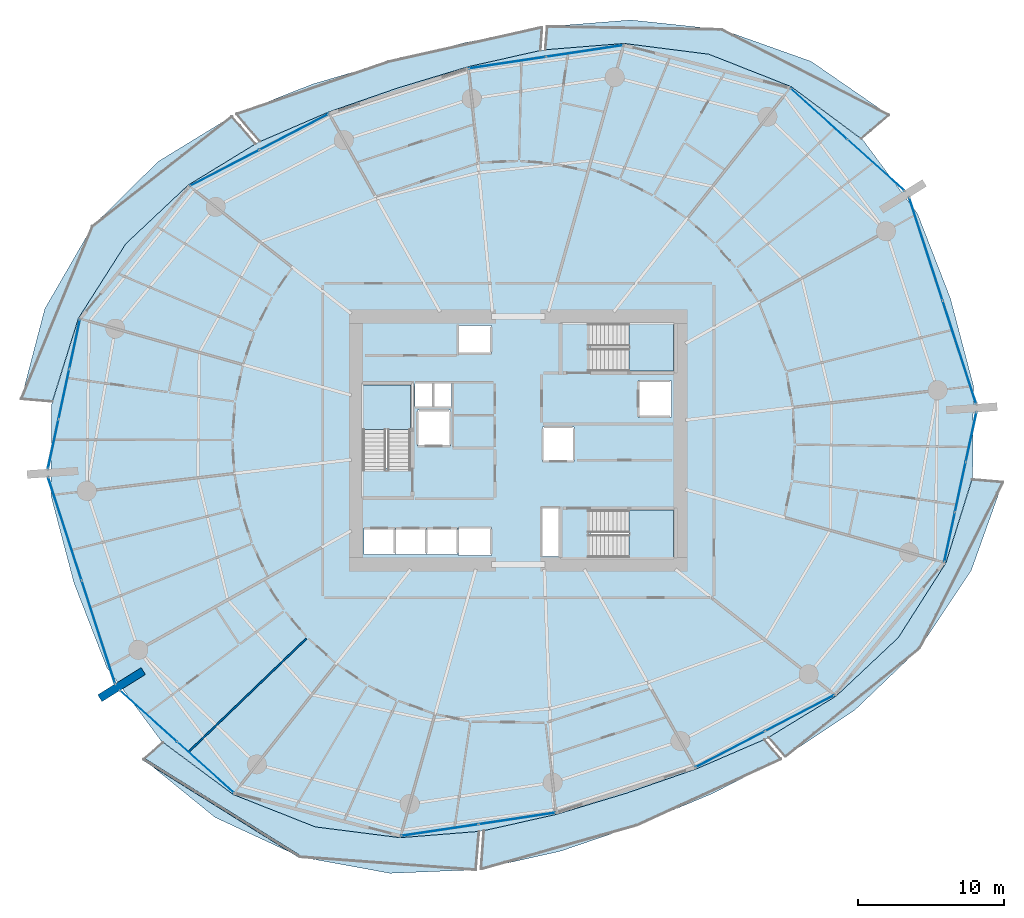
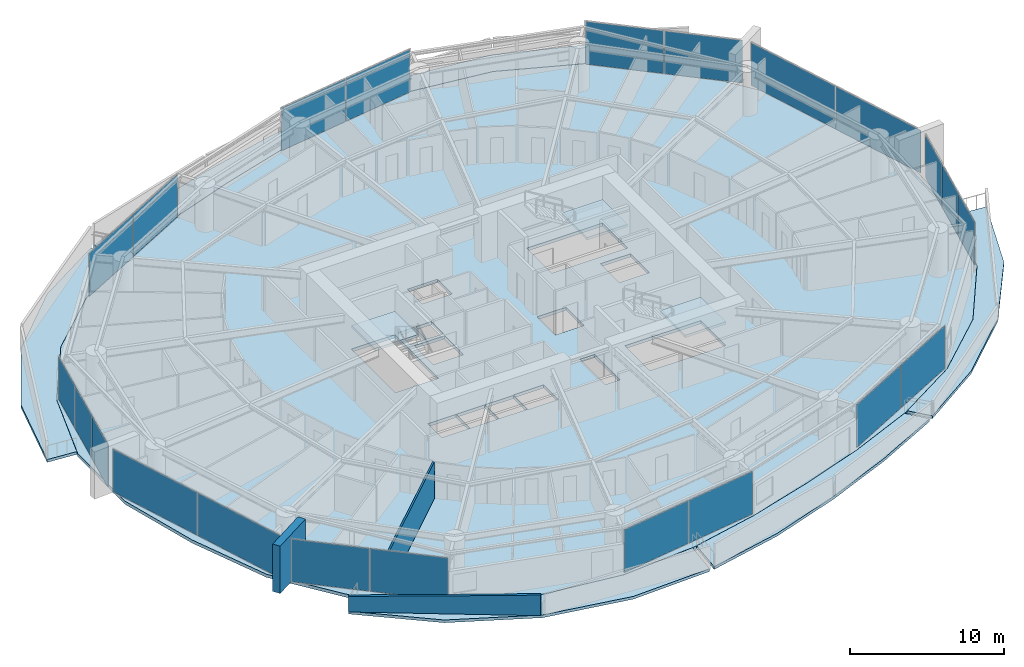
# One storey, part 18 of 31: 22 plates, 10 slabs, 3 walls, 13 elements without a shape of their own.
"""IFC4 building model written with IfcOpenShell, lengths in metres."""

from ifc_helpers import new_model, si_unit, direction, frame, frame_2d, origin, origin_2d, place, context, subcontext, project, spatial, polyline, rectangle, outline, extrude, material, layer, layer_set, type_object, element, aggregate, save


model = new_model("IFC4")

# Units and contexts
model_context = context("Model", 3, precision=1e-05, world=origin(), true_north=direction((0.0, 1.0)))
body_context = subcontext(model_context, "Body", "Model", "MODEL_VIEW")
ifc_project = project(units=[si_unit("LENGTHUNIT", "METRE"), si_unit("AREAUNIT", "SQUARE_METRE"), si_unit("VOLUMEUNIT", "CUBIC_METRE"), si_unit("PLANEANGLEUNIT", "RADIAN"), si_unit("MASSUNIT", "GRAM", prefix="KILO")], contexts=[model_context])

# Site, building, storey
site_placement = place(None, origin())
site = spatial("IfcSite", under=ifc_project, at=site_placement, CompositionType="ELEMENT")
building_placement = place(site_placement, origin())
building = spatial("IfcBuilding", under=site, at=building_placement, Name="Kazma Halo Residences", CompositionType="ELEMENT")
storey_placement = place(building_placement, frame((0.0, 0.0, 48.89990234375)))
storey = spatial("IfcBuildingStorey", under=building, at=storey_placement, Name="L11", CompositionType="ELEMENT", Elevation=48.89990234375)

# Curtain wall, plates
ifc_material_1 = material(Name="Aluminium AW-6063 T6 and Triple-Silver Low-E Glass", Category="aluminium")
ifc_layer_1 = layer(ifc_material_1, 0.159912109375)
ifc_layer_set_1 = layer_set([ifc_layer_1], Name="Aluminium AW-6063 T6 and Triple-Silver Low-E Glass")
curtain_wall_type = type_object("IfcCurtainWallType", Name="CW-SYS-2", PredefinedType="NOTDEFINED", material=ifc_layer_set_1)
curtain_wall_1_placement = place(storey_placement, origin())
curtain_wall_1 = element("IfcCurtainWall", 1, at=curtain_wall_1_placement, inside=storey, type_object=curtain_wall_type, Name="L11 unitised curtain wall B01", PredefinedType="NOTDEFINED")
ifc_material_2 = material(Name="Clear Triple-Silver Low-E Glass IGU", Category="glass")
ifc_layer_2 = layer(ifc_material_2, 0.028076171875)
ifc_layer_set_2 = layer_set([ifc_layer_2], Name="Clear Triple-Silver Low-E Glass IGU")
plate_type = type_object("IfcPlateType", Name="CW-SYS-2-PNL", PredefinedType="CURTAIN_PANEL", material=ifc_layer_set_2)
plate_1_placement = place(storey_placement, frame((72.876953125, 60.841064453125, 0.06005859375), z_axis=(0.0, 0.0, 1.0), x_axis=(-0.744321506993, 0.667821453854, 0.0)))
plate_1 = element("IfcPlate", 2, at=plate_1_placement, type_object=plate_type, Name="CWS-2 panel 1.1", PredefinedType="CURTAIN_PANEL", context=body_context, shape_type="SweptSolid", body=[
    extrude(rectangle(XDim=5.1787109375, YDim=0.028076171875, at=origin_2d()), origin(), (0.0, 0.0, 1.0), 3.3798828125),
])
plate_2_placement = place(storey_placement, frame((68.977783203125, 64.33935546875, 0.06005859375), z_axis=(0.0, 0.0, 1.0), x_axis=(-0.744321506993, 0.667821453854, 0.0)))
plate_2 = element("IfcPlate", 3, at=plate_2_placement, type_object=plate_type, Name="CWS-2 panel 2.1", PredefinedType="CURTAIN_PANEL", context=body_context, shape_type="SweptSolid", body=[
    extrude(rectangle(XDim=5.1787109375, YDim=0.028076171875, at=origin_2d()), origin(), (0.0, 0.0, 1.0), 3.3798828125),
])
aggregate(curtain_wall_1, [plate_1, plate_2])

curtain_wall_2_placement = place(storey_placement, origin())
curtain_wall_2 = element("IfcCurtainWall", 4, at=curtain_wall_2_placement, inside=storey, type_object=curtain_wall_type, Name="L11 unitised curtain wall B03", PredefinedType="NOTDEFINED")
plate_3_placement = place(storey_placement, frame((52.952392578125, 68.64013671875, 0.06005859375), z_axis=(0.0, 0.0, 1.0), x_axis=(-0.988888777994, -0.148657272805, 0.0)))
plate_3 = element("IfcPlate", 5, at=plate_3_placement, type_object=plate_type, Name="CWS-2 panel 1.1", PredefinedType="CURTAIN_PANEL", context=body_context, shape_type="SweptSolid", body=[
    extrude(rectangle(XDim=5.288818359375, YDim=0.028076171875, at=origin_2d()), origin(), (0.0, 0.0, 1.0), 3.3798828125),
])
plate_4_placement = place(storey_placement, frame((47.662841796875, 67.844970703125, 0.06005859375), z_axis=(0.0, 0.0, 1.0), x_axis=(-0.988888777994, -0.148657272805, 0.0)))
plate_4 = element("IfcPlate", 6, at=plate_4_placement, type_object=plate_type, Name="CWS-2 panel 2.1", PredefinedType="CURTAIN_PANEL", context=body_context, shape_type="SweptSolid", body=[
    extrude(rectangle(XDim=5.288818359375, YDim=0.028076171875, at=origin_2d()), origin(), (0.0, 0.0, 1.0), 3.3798828125),
])
aggregate(curtain_wall_2, [plate_3, plate_4])

curtain_wall_3_placement = place(storey_placement, origin())
curtain_wall_3 = element("IfcCurtainWall", 7, at=curtain_wall_3_placement, inside=storey, type_object=curtain_wall_type, Name="L11 unitised curtain wall B05", PredefinedType="NOTDEFINED")
plate_5_placement = place(storey_placement, frame((33.081298828125, 63.107177734375, 0.06005859375), z_axis=(0.0, 0.0, 1.0), x_axis=(-0.887402258584, -0.460995912628, 0.0)))
plate_5 = element("IfcPlate", 8, at=plate_5_placement, type_object=plate_type, Name="CWS-2 panel 1.1", PredefinedType="CURTAIN_PANEL", context=body_context, shape_type="SweptSolid", body=[
    extrude(rectangle(XDim=5.288818359375, YDim=0.028076171875, at=origin_2d()), origin(), (0.0, 0.0, 1.0), 3.3798828125),
])
plate_6_placement = place(storey_placement, frame((28.334716796875, 60.641357421875, 0.06005859375), z_axis=(0.0, 0.0, 1.0), x_axis=(-0.887402258584, -0.460995912628, 0.0)))
plate_6 = element("IfcPlate", 9, at=plate_6_placement, type_object=plate_type, Name="CWS-2 panel 2.1", PredefinedType="CURTAIN_PANEL", context=body_context, shape_type="SweptSolid", body=[
    extrude(rectangle(XDim=5.288818359375, YDim=0.028076171875, at=origin_2d()), origin(), (0.0, 0.0, 1.0), 3.3798828125),
])
aggregate(curtain_wall_3, [plate_5, plate_6])

curtain_wall_4_placement = place(storey_placement, origin())
curtain_wall_4 = element("IfcCurtainWall", 10, at=curtain_wall_4_placement, inside=storey, type_object=curtain_wall_type, Name="L11 unitised curtain wall B07", PredefinedType="NOTDEFINED")
plate_7_placement = place(storey_placement, frame((18.08203125, 48.60107421875, 0.06005859375), z_axis=(0.0, 0.0, 1.0), x_axis=(-0.209637321406, -0.977779215096, 0.0)))
plate_7 = element("IfcPlate", 11, at=plate_7_placement, type_object=plate_type, Name="CWS-2 panel 1.1", PredefinedType="CURTAIN_PANEL", context=body_context, shape_type="SweptSolid", body=[
    extrude(rectangle(XDim=3.42236328125, YDim=0.028076171875, at=origin_2d()), origin(), (0.0, 0.0, 1.0), 3.3798828125),
])
plate_8_placement = place(storey_placement, frame((17.348876953125, 45.181396484375, 0.06005859375), z_axis=(0.0, 0.0, 1.0), x_axis=(-0.209637321406, -0.977779215096, 0.0)))
plate_8 = element("IfcPlate", 12, at=plate_8_placement, type_object=plate_type, Name="CWS-2 panel 2.1", PredefinedType="CURTAIN_PANEL", context=body_context, shape_type="SweptSolid", body=[
    extrude(rectangle(XDim=3.452392578125, YDim=0.028076171875, at=origin_2d()), origin(), (0.0, 0.0, 1.0), 3.3798828125),
])
plate_9_placement = place(storey_placement, frame((16.61572265625, 41.76171875, 0.06005859375), z_axis=(0.0, 0.0, 1.0), x_axis=(-0.209637321406, -0.977779215096, 0.0)))
plate_9 = element("IfcPlate", 13, at=plate_9_placement, type_object=plate_type, Name="CWS-2 panel 3.1", PredefinedType="CURTAIN_PANEL", context=body_context, shape_type="SweptSolid", body=[
    extrude(rectangle(XDim=3.42236328125, YDim=0.028076171875, at=origin_2d()), origin(), (0.0, 0.0, 1.0), 3.3798828125),
])
aggregate(curtain_wall_4, [plate_7, plate_8, plate_9])

curtain_wall_5_placement = place(storey_placement, origin())
curtain_wall_5 = element("IfcCurtainWall", 14, at=curtain_wall_5_placement, inside=storey, type_object=curtain_wall_type, Name="L11 unitised curtain wall B08", PredefinedType="NOTDEFINED")
plate_10_placement = place(storey_placement, frame((17.409912109375, 35.96728515625, 0.06005859375), z_axis=(0.0, 0.0, 1.0), x_axis=(0.309016970539, -0.95105652404, 0.0)))
plate_10 = element("IfcPlate", 15, at=plate_10_placement, type_object=plate_type, Name="CWS-2 panel 1.1", PredefinedType="CURTAIN_PANEL", context=body_context, shape_type="SweptSolid", body=[
    extrude(rectangle(XDim=7.370849609375, YDim=0.028076171875, at=origin_2d()), origin(), (0.0, 0.0, 1.0), 3.3798828125),
])
plate_11_placement = place(storey_placement, frame((19.7060546875, 28.900146484375, 0.06005859375), z_axis=(0.0, 0.0, 1.0), x_axis=(0.309016970539, -0.95105652404, 0.0)))
plate_11 = element("IfcPlate", 16, at=plate_11_placement, type_object=plate_type, Name="CWS-2 panel 2.1", PredefinedType="CURTAIN_PANEL", context=body_context, shape_type="SweptSolid", body=[
    extrude(rectangle(XDim=7.370849609375, YDim=0.028076171875, at=origin_2d()), origin(), (0.0, 0.0, 1.0), 3.3798828125),
])
aggregate(curtain_wall_5, [plate_10, plate_11])

curtain_wall_6_placement = place(storey_placement, origin())
curtain_wall_6 = element("IfcCurtainWall", 17, at=curtain_wall_6_placement, inside=storey, type_object=curtain_wall_type, Name="L11 unitised curtain wall B09", PredefinedType="NOTDEFINED")
plate_12_placement = place(storey_placement, frame((23.123046875, 23.158935546875, 0.06005859375), z_axis=(0.0, 0.0, 1.0), x_axis=(0.744321506993, -0.667821453854, 0.0)))
plate_12 = element("IfcPlate", 18, at=plate_12_placement, type_object=plate_type, Name="CWS-2 panel 1.1", PredefinedType="CURTAIN_PANEL", context=body_context, shape_type="SweptSolid", body=[
    extrude(rectangle(XDim=5.1787109375, YDim=0.028076171875, at=origin_2d()), origin(), (0.0, 0.0, 1.0), 3.3798828125),
])
plate_13_placement = place(storey_placement, frame((27.022216796875, 19.66064453125, 0.06005859375), z_axis=(0.0, 0.0, 1.0), x_axis=(0.744321506993, -0.667821453854, 0.0)))
plate_13 = element("IfcPlate", 19, at=plate_13_placement, type_object=plate_type, Name="CWS-2 panel 2.1", PredefinedType="CURTAIN_PANEL", context=body_context, shape_type="SweptSolid", body=[
    extrude(rectangle(XDim=5.1787109375, YDim=0.028076171875, at=origin_2d()), origin(), (0.0, 0.0, 1.0), 3.3798828125),
])
aggregate(curtain_wall_6, [plate_12, plate_13])

curtain_wall_7_placement = place(storey_placement, origin())
curtain_wall_7 = element("IfcCurtainWall", 20, at=curtain_wall_7_placement, inside=storey, type_object=curtain_wall_type, Name="L11 unitised curtain wall B11", PredefinedType="NOTDEFINED")
plate_14_placement = place(storey_placement, frame((43.047607421875, 15.35986328125, 0.06005859375), z_axis=(0.0, 0.0, 1.0), x_axis=(0.988888777994, 0.148657272805, 0.0)))
plate_14 = element("IfcPlate", 21, at=plate_14_placement, type_object=plate_type, Name="CWS-2 panel 1.1", PredefinedType="CURTAIN_PANEL", context=body_context, shape_type="SweptSolid", body=[
    extrude(rectangle(XDim=5.288818359375, YDim=0.028076171875, at=origin_2d()), origin(), (0.0, 0.0, 1.0), 3.3798828125),
])
plate_15_placement = place(storey_placement, frame((48.337158203125, 16.155029296875, 0.06005859375), z_axis=(0.0, 0.0, 1.0), x_axis=(0.988888777994, 0.148657272805, 0.0)))
plate_15 = element("IfcPlate", 22, at=plate_15_placement, type_object=plate_type, Name="CWS-2 panel 2.1", PredefinedType="CURTAIN_PANEL", context=body_context, shape_type="SweptSolid", body=[
    extrude(rectangle(XDim=5.288818359375, YDim=0.028076171875, at=origin_2d()), origin(), (0.0, 0.0, 1.0), 3.3798828125),
])
aggregate(curtain_wall_7, [plate_14, plate_15])

curtain_wall_8_placement = place(storey_placement, origin())
curtain_wall_8 = element("IfcCurtainWall", 23, at=curtain_wall_8_placement, inside=storey, type_object=curtain_wall_type, Name="L11 unitised curtain wall B13", PredefinedType="NOTDEFINED")
plate_16_placement = place(storey_placement, frame((62.918701171875, 20.892822265625, 0.06005859375), z_axis=(0.0, 0.0, 1.0), x_axis=(0.887402258584, 0.460995912628, 0.0)))
plate_16 = element("IfcPlate", 24, at=plate_16_placement, type_object=plate_type, Name="CWS-2 panel 1.1", PredefinedType="CURTAIN_PANEL", context=body_context, shape_type="SweptSolid", body=[
    extrude(rectangle(XDim=5.288818359375, YDim=0.028076171875, at=origin_2d()), origin(), (0.0, 0.0, 1.0), 3.3798828125),
])
plate_17_placement = place(storey_placement, frame((67.665283203125, 23.358642578125, 0.06005859375), z_axis=(0.0, 0.0, 1.0), x_axis=(0.887402258584, 0.460995912628, 0.0)))
plate_17 = element("IfcPlate", 25, at=plate_17_placement, type_object=plate_type, Name="CWS-2 panel 2.1", PredefinedType="CURTAIN_PANEL", context=body_context, shape_type="SweptSolid", body=[
    extrude(rectangle(XDim=5.288818359375, YDim=0.028076171875, at=origin_2d()), origin(), (0.0, 0.0, 1.0), 3.3798828125),
])
aggregate(curtain_wall_8, [plate_16, plate_17])

curtain_wall_9_placement = place(storey_placement, origin())
curtain_wall_9 = element("IfcCurtainWall", 26, at=curtain_wall_9_placement, inside=storey, type_object=curtain_wall_type, Name="L11 unitised curtain wall B15", PredefinedType="NOTDEFINED")
plate_18_placement = place(storey_placement, frame((77.91796875, 35.39892578125, 0.06005859375), z_axis=(0.0, 0.0, 1.0), x_axis=(0.209637321406, 0.977779215096, 0.0)))
plate_18 = element("IfcPlate", 27, at=plate_18_placement, type_object=plate_type, Name="CWS-2 panel 1.1", PredefinedType="CURTAIN_PANEL", context=body_context, shape_type="SweptSolid", body=[
    extrude(rectangle(XDim=3.42236328125, YDim=0.028076171875, at=origin_2d()), origin(), (0.0, 0.0, 1.0), 3.3798828125),
])
plate_19_placement = place(storey_placement, frame((78.651123046875, 38.818603515625, 0.06005859375), z_axis=(0.0, 0.0, 1.0), x_axis=(0.209637321406, 0.977779215096, 0.0)))
plate_19 = element("IfcPlate", 28, at=plate_19_placement, type_object=plate_type, Name="CWS-2 panel 2.1", PredefinedType="CURTAIN_PANEL", context=body_context, shape_type="SweptSolid", body=[
    extrude(rectangle(XDim=3.452392578125, YDim=0.028076171875, at=origin_2d()), origin(), (0.0, 0.0, 1.0), 3.3798828125),
])
plate_20_placement = place(storey_placement, frame((79.38427734375, 42.23828125, 0.06005859375), z_axis=(0.0, 0.0, 1.0), x_axis=(0.209637321406, 0.977779215096, 0.0)))
plate_20 = element("IfcPlate", 29, at=plate_20_placement, type_object=plate_type, Name="CWS-2 panel 3.1", PredefinedType="CURTAIN_PANEL", context=body_context, shape_type="SweptSolid", body=[
    extrude(rectangle(XDim=3.42236328125, YDim=0.028076171875, at=origin_2d()), origin(), (0.0, 0.0, 1.0), 3.3798828125),
])
aggregate(curtain_wall_9, [plate_18, plate_19, plate_20])

curtain_wall_10_placement = place(storey_placement, origin())
curtain_wall_10 = element("IfcCurtainWall", 30, at=curtain_wall_10_placement, inside=storey, type_object=curtain_wall_type, Name="L11 unitised curtain wall B16", PredefinedType="NOTDEFINED")
plate_21_placement = place(storey_placement, frame((78.590087890625, 48.03271484375, 0.06005859375), z_axis=(0.0, 0.0, 1.0), x_axis=(-0.309016970539, 0.95105652404, 0.0)))
plate_21 = element("IfcPlate", 31, at=plate_21_placement, type_object=plate_type, Name="CWS-2 panel 1.1", PredefinedType="CURTAIN_PANEL", context=body_context, shape_type="SweptSolid", body=[
    extrude(rectangle(XDim=7.370849609375, YDim=0.028076171875, at=origin_2d()), origin(), (0.0, 0.0, 1.0), 3.3798828125),
])
plate_22_placement = place(storey_placement, frame((76.2939453125, 55.099853515625, 0.06005859375), z_axis=(0.0, 0.0, 1.0), x_axis=(-0.309016970539, 0.95105652404, 0.0)))
plate_22 = element("IfcPlate", 32, at=plate_22_placement, type_object=plate_type, Name="CWS-2 panel 2.1", PredefinedType="CURTAIN_PANEL", context=body_context, shape_type="SweptSolid", body=[
    extrude(rectangle(XDim=7.370849609375, YDim=0.028076171875, at=origin_2d()), origin(), (0.0, 0.0, 1.0), 3.3798828125),
])
aggregate(curtain_wall_10, [plate_21, plate_22])

# Slabs
ifc_material_3 = material(Name="White Concrete C50/60", Category="concrete")
ifc_layer_3 = layer(ifc_material_3, 0.219970703125)
ifc_layer_set_3 = layer_set([ifc_layer_3], Name="White Concrete C50/60")
slab_type_1 = type_object("IfcSlabType", Name="SLB-BAL-WAVE-210", PredefinedType="FLOOR", material=ifc_layer_set_3)
slab_1_placement = place(storey_placement, frame((0.0, 0.0, -0.219970703125)))
element("IfcSlab", 33, at=slab_1_placement, inside=storey, type_object=slab_type_1, Name="L11 NE cantilevered wave balcony slab", PredefinedType="FLOOR", context=body_context, shape_type="SweptSolid", body=[
    extrude(outline(polyline([(71.875732421875, 62.645263671875), (67.081298828125, 66.20458984375), (61.461669921875, 68.420166015625), (55.659912109375, 69.15966796875), (50.26806640625, 68.729736328125), (50.402587890625, 70.314697265625), (56.11181640625, 70.7626953125), (62.323974609375, 70.1123046875), (68.443115234375, 67.931884765625), (73.753662109375, 64.269287109375), (71.875732421875, 62.645263671875)])), origin(), (0.0, 0.0, 1.0), 0.219970703125),
])
slab_2_placement = place(storey_placement, frame((0.0, 0.0, -0.219970703125)))
element("IfcSlab", 34, at=slab_2_placement, inside=storey, type_object=slab_type_1, Name="L11 NNW cantilevered wave balcony slab", PredefinedType="FLOOR", context=body_context, shape_type="SweptSolid", body=[
    extrude(outline(polyline([(49.935791015625, 68.679931640625), (44.974365234375, 67.564208984375), (40.165771484375, 66.111083984375), (35.421630859375, 64.460205078125), (30.751708984375, 62.44677734375), (29.161376953125, 64.331787109375), (34.346923828125, 66.37939453125), (39.5791015625, 67.917236328125), (44.778564453125, 69.21826171875), (50.050537109375, 70.261474609375), (49.935791015625, 68.679931640625)])), origin(), (0.0, 0.0, 1.0), 0.219970703125),
])
slab_3_placement = place(storey_placement, frame((0.0, 0.0, -0.219970703125)))
element("IfcSlab", 35, at=slab_3_placement, inside=storey, type_object=slab_type_1, Name="L11 NW cantilevered wave balcony slab", PredefinedType="FLOOR", context=body_context, shape_type="SweptSolid", body=[
    extrude(outline(polyline([(30.453857421875, 62.29150390625), (25.839111328125, 59.47021484375), (21.579833984375, 55.461669921875), (18.3359375, 50.3662109375), (16.54931640625, 44.668701171875), (14.425537109375, 44.848876953125), (16.03857421875, 51.01416015625), (19.282470703125, 56.63232421875), (23.791015625, 61.0849609375), (28.828369140625, 64.17138671875), (30.453857421875, 62.29150390625)])), origin(), (0.0, 0.0, 1.0), 0.219970703125),
])
slab_4_placement = place(storey_placement, frame((0.0, 0.0, -0.219970703125)))
element("IfcSlab", 36, at=slab_4_placement, inside=storey, type_object=slab_type_1, Name="L11 SW cantilevered wave balcony slab", PredefinedType="FLOOR", context=body_context, shape_type="SweptSolid", body=[
    extrude(outline(polyline([(24.124267578125, 21.354736328125), (28.918701171875, 17.79541015625), (34.538330078125, 15.579833984375), (40.340087890625, 14.84033203125), (45.73193359375, 15.270263671875), (45.509521484375, 12.649169921875), (39.6533203125, 12.405029296875), (33.49560546875, 13.533203125), (27.6826171875, 16.2275390625), (22.79248046875, 20.202880859375), (24.124267578125, 21.354736328125)])), origin(), (0.0, 0.0, 1.0), 0.219970703125),
])
slab_5_placement = place(storey_placement, frame((0.0, 0.0, -0.219970703125)))
element("IfcSlab", 37, at=slab_5_placement, inside=storey, type_object=slab_type_1, Name="L11 SSE cantilevered wave balcony slab", PredefinedType="FLOOR", context=body_context, shape_type="SweptSolid", body=[
    extrude(outline(polyline([(46.064208984375, 15.320068359375), (51.025634765625, 16.435791015625), (55.834228515625, 17.888916015625), (60.578369140625, 19.539794921875), (65.248291015625, 21.55322265625), (66.373291015625, 20.2197265625), (61.553955078125, 17.797607421875), (56.5439453125, 15.7041015625), (51.322998046875, 13.923095703125), (45.874267578125, 12.701416015625), (46.064208984375, 15.320068359375)])), origin(), (0.0, 0.0, 1.0), 0.219970703125),
])
slab_6_placement = place(storey_placement, frame((0.0, 0.0, -0.219970703125)))
element("IfcSlab", 38, at=slab_6_placement, inside=storey, type_object=slab_type_1, Name="L11 SE cantilevered wave balcony slab", PredefinedType="FLOOR", context=body_context, shape_type="SweptSolid", body=[
    extrude(outline(polyline([(65.546142578125, 21.70849609375), (70.160888671875, 24.52978515625), (74.420166015625, 28.538330078125), (77.6640625, 33.6337890625), (79.45068359375, 39.331298828125), (81.555419921875, 39.15283203125), (79.4052734375, 33.142822265625), (75.861328125, 27.803955078125), (71.407958984375, 23.546630859375), (66.681884765625, 20.39501953125), (65.546142578125, 21.70849609375)])), origin(), (0.0, 0.0, 1.0), 0.219970703125),
])
ifc_material_4 = material(Name="Concrete C50/60", Category="concrete")
ifc_layer_4 = layer(ifc_material_4, 0.25)
ifc_layer_set_4 = layer_set([ifc_layer_4], Name="Concrete C50/60")
slab_type_2 = type_object("IfcSlabType", Name="SLB-RES-250", PredefinedType="FLOOR", material=ifc_layer_set_4)
slab_7_placement = place(storey_placement, frame((0.0, 0.0, -0.25)))
element("IfcSlab", 39, at=slab_7_placement, inside=storey, type_object=slab_type_2, Name="L11 structural floor slab", PredefinedType="FLOOR", context=body_context, shape_type="SweptSolid", body=[
    extrude(outline(polyline([(77.9677734375, 51.737060546875), (75.719970703125, 57.52392578125), (72.02099609375, 62.51611328125), (67.080078125, 66.202880859375), (61.460693359375, 68.418212890625), (55.6591796875, 69.15771484375), (50.102294921875, 68.713134765625), (44.974609375, 67.562255859375), (40.16650390625, 66.109375), (35.422607421875, 64.45849609375), (30.597412109375, 62.375732421875), (25.8408203125, 59.468994140625), (21.581787109375, 55.460693359375), (18.337890625, 50.365478515625), (16.507568359375, 44.478515625), (16.449462890625, 38.265625), (18.0322265625, 32.262939453125), (20.280029296875, 26.47607421875), (23.97900390625, 21.48388671875), (28.919921875, 17.797119140625), (34.539306640625, 15.581787109375), (40.3408203125, 14.84228515625), (45.897705078125, 15.286865234375), (51.025390625, 16.437744140625), (55.83349609375, 17.890625), (60.577392578125, 19.54150390625), (65.402587890625, 21.624267578125), (70.1591796875, 24.531005859375), (74.418212890625, 28.539306640625), (77.662109375, 33.634521484375), (79.492431640625, 39.521484375), (79.550537109375, 45.734375), (77.9677734375, 51.737060546875)]), holes=[polyline([(37.800048828125, 40.110107421875), (41.050048828125, 40.110107421875), (41.050048828125, 45.800048828125), (37.800048828125, 45.800048828125), (37.800048828125, 40.110107421875)]), polyline([(53.360107421875, 46.75), (59.050048828125, 46.75), (59.050048828125, 50.0), (53.360107421875, 50.0), (53.360107421875, 46.75)]), polyline([(53.360107421875, 34.0), (59.050048828125, 34.0), (59.050048828125, 37.25), (53.360107421875, 37.25), (53.360107421875, 34.0)]), polyline([(41.52001953125, 41.6201171875), (43.780029296875, 41.6201171875), (43.780029296875, 44.080078125), (41.52001953125, 44.080078125), (41.52001953125, 41.6201171875)]), polyline([(56.6201171875, 43.6201171875), (58.8798828125, 43.6201171875), (58.8798828125, 46.080078125), (56.6201171875, 46.080078125), (56.6201171875, 43.6201171875)]), polyline([(37.864990234375, 34.195068359375), (39.97509765625, 34.195068359375), (39.97509765625, 36.0048828125), (37.864990234375, 36.0048828125), (37.864990234375, 34.195068359375)]), polyline([(40.014892578125, 34.195068359375), (42.125, 34.195068359375), (42.125, 36.0048828125), (40.014892578125, 36.0048828125), (40.014892578125, 34.195068359375)]), polyline([(42.1650390625, 34.195068359375), (44.27490234375, 34.195068359375), (44.27490234375, 36.0048828125), (42.1650390625, 36.0048828125), (42.1650390625, 34.195068359375)]), polyline([(44.320068359375, 47.945068359375), (46.580078125, 47.945068359375), (46.580078125, 49.85498046875), (44.320068359375, 49.85498046875), (44.320068359375, 47.945068359375)]), polyline([(44.320068359375, 34.14501953125), (46.580078125, 34.14501953125), (46.580078125, 36.054931640625), (44.320068359375, 36.054931640625), (44.320068359375, 34.14501953125)]), polyline([(50.070068359375, 40.570068359375), (52.22998046875, 40.570068359375), (52.22998046875, 42.929931640625), (50.070068359375, 42.929931640625), (50.070068359375, 40.570068359375)]), polyline([(41.360107421875, 44.340087890625), (42.5400390625, 44.340087890625), (42.5400390625, 45.89990234375), (41.360107421875, 45.89990234375), (41.360107421875, 44.340087890625)]), polyline([(42.659912109375, 44.340087890625), (43.840087890625, 44.340087890625), (43.840087890625, 45.89990234375), (42.659912109375, 45.89990234375), (42.659912109375, 44.340087890625)]), polyline([(50.06005859375, 34.080078125), (51.159912109375, 34.080078125), (51.159912109375, 37.3798828125), (50.06005859375, 37.3798828125), (50.06005859375, 34.080078125)])]), origin(), (0.0, 0.0, 1.0), 0.25),
])

# Stair, slab
stair_type = type_object("IfcStairType", Name="STR-RES1", PredefinedType="HALF_TURN_STAIR", material=ifc_material_4)
stair_1_placement = place(storey_placement, origin())
stair_1 = element("IfcStair", 40, at=stair_1_placement, inside=storey, type_object=stair_type, Name="L11 Core exit stair ST-01", PredefinedType="HALF_TURN_STAIR")
ifc_layer_5 = layer(ifc_material_4, 0.199951171875)
ifc_layer_set_5 = layer_set([ifc_layer_5], Name="Concrete C50/60")
slab_type_3 = type_object("IfcSlabType", Name="SLB-STAIR-LND-200", PredefinedType="LANDING", material=ifc_layer_set_5)
slab_8_placement = place(storey_placement, frame((0.0, 0.0, 1.675048828125)))
slab_8 = element("IfcSlab", 41, at=slab_8_placement, type_object=slab_type_3, Name="ST-01 landing 1", PredefinedType="LANDING", context=body_context, shape_type="SweptSolid", body=[
    extrude(outline(polyline([(41.050048828125, 42.75), (41.050048828125, 45.800048828125), (37.800048828125, 45.800048828125), (37.800048828125, 42.75), (41.050048828125, 42.75)])), origin(), (0.0, 0.0, 1.0), 0.199951171875),
])
aggregate(stair_1, [slab_8])

stair_2_placement = place(storey_placement, origin())
stair_2 = element("IfcStair", 42, at=stair_2_placement, inside=storey, type_object=stair_type, Name="L11 Core exit stair ST-02", PredefinedType="HALF_TURN_STAIR")
slab_9_placement = place(storey_placement, frame((0.0, 0.0, 1.675048828125)))
slab_9 = element("IfcSlab", 43, at=slab_9_placement, type_object=slab_type_3, Name="ST-02 landing 1", PredefinedType="LANDING", context=body_context, shape_type="SweptSolid", body=[
    extrude(outline(polyline([(56.0, 46.75), (59.050048828125, 46.75), (59.050048828125, 50.0), (56.0, 50.0), (56.0, 46.75)])), origin(), (0.0, 0.0, 1.0), 0.199951171875),
])
aggregate(stair_2, [slab_9])

stair_3_placement = place(storey_placement, origin())
stair_3 = element("IfcStair", 44, at=stair_3_placement, inside=storey, type_object=stair_type, Name="L11 Core exit stair ST-03", PredefinedType="HALF_TURN_STAIR")
slab_10_placement = place(storey_placement, frame((0.0, 0.0, 1.675048828125)))
slab_10 = element("IfcSlab", 45, at=slab_10_placement, type_object=slab_type_3, Name="ST-03 landing 1", PredefinedType="LANDING", context=body_context, shape_type="SweptSolid", body=[
    extrude(outline(polyline([(56.0, 34.0), (59.050048828125, 34.0), (59.050048828125, 37.25), (56.0, 37.25), (56.0, 34.0)])), origin(), (0.0, 0.0, 1.0), 0.199951171875),
])
aggregate(stair_3, [slab_10])

# Walls
ifc_material_5 = material(Name="White Concrete C50/60 Balustrade", Category="concrete")
ifc_layer_6 = layer(ifc_material_5, 0.179931640625)
ifc_layer_set_6 = layer_set([ifc_layer_6], Name="White Concrete C50/60 Balustrade")
wall_type_1 = type_object("IfcWallType", Name="WL-BAL-WAVE-180", PredefinedType="PARAPET", material=ifc_layer_set_6)
wall_1_placement = place(storey_placement, frame((22.79248046875, 20.202880859375, 0.0), z_axis=(0.0, 0.0, 1.0), x_axis=(0.848703588119, -0.52886881125, 0.0)))
element("IfcWall", 46, at=wall_1_placement, inside=storey, type_object=wall_type_1, Name="L11 white wave balustrade wall SW.1", PredefinedType="PARAPET", context=body_context, shape_type="SweptSolid", body=[
    extrude(outline(polyline([(0.0, 0.0), (12.4912109375, 0.0), (12.4912109375, 1.632080078125), (6.24560546875, 1.418212890625), (0.0, 1.233154296875), (0.0, 0.0)])), frame((0.0, 0.08984375, 0.0), z_axis=(0.0, -1.0, 0.0), x_axis=(1.0, 0.0, 0.0)), (0.0, 0.0, 1.0), 0.179931640625),
])
ifc_material_6 = material(Name="Pale Concrete C60/75", Category="concrete")
ifc_layer_7 = layer(ifc_material_6, 0.550048828125)
ifc_layer_set_7 = layer_set([ifc_layer_7], Name="Pale Concrete C60/75")
wall_type_2 = type_object("IfcWallType", Name="WL-BLADE-550", PredefinedType="SOLIDWALL", material=ifc_layer_set_7)
wall_2_placement = place(storey_placement, frame((22.770263671875, 26.234619140625, 0.0), z_axis=(0.0, 0.0, 1.0), x_axis=(-0.848053161125, -0.529911158502, 0.0)))
element("IfcWall", 47, at=wall_2_placement, inside=storey, type_object=wall_type_2, Name="L11 pale concrete structural blade fin wall BW-03", PredefinedType="SOLIDWALL", context=body_context, shape_type="SweptSolid", body=[
    extrude(rectangle(XDim=3.5, YDim=0.550048828125, at=frame_2d((1.75, 0.0))), origin(), (0.0, 0.0, 1.0), 3.75),
])
ifc_material_7 = material(Name="Gypsum Plasterboard Partition")
ifc_layer_8 = layer(ifc_material_7, 0.125)
ifc_layer_set_8 = layer_set([ifc_layer_8], Name="Gypsum Plasterboard Partition")
wall_type_3 = type_object("IfcWallType", Name="WL-PART-125", PredefinedType="PARTITIONING", material=ifc_layer_set_8)
wall_3_placement = place(storey_placement, frame((33.9306640625, 28.46337890625, 0.0), z_axis=(0.0, 0.0, 1.0), x_axis=(-0.720612963669, -0.693337548812, 0.0)))
element("IfcWall", 48, at=wall_3_placement, inside=storey, type_object=wall_type_3, Name="L11 Apartment 2 suite divider 8", PredefinedType="PARTITIONING", context=body_context, shape_type="SweptSolid", body=[
    extrude(rectangle(XDim=11.170654296875, YDim=0.125, at=frame_2d((5.58544921875, 0.0))), origin(), (0.0, 0.0, 1.0), 2.940185546875),
])

save(model, "model.ifc")
